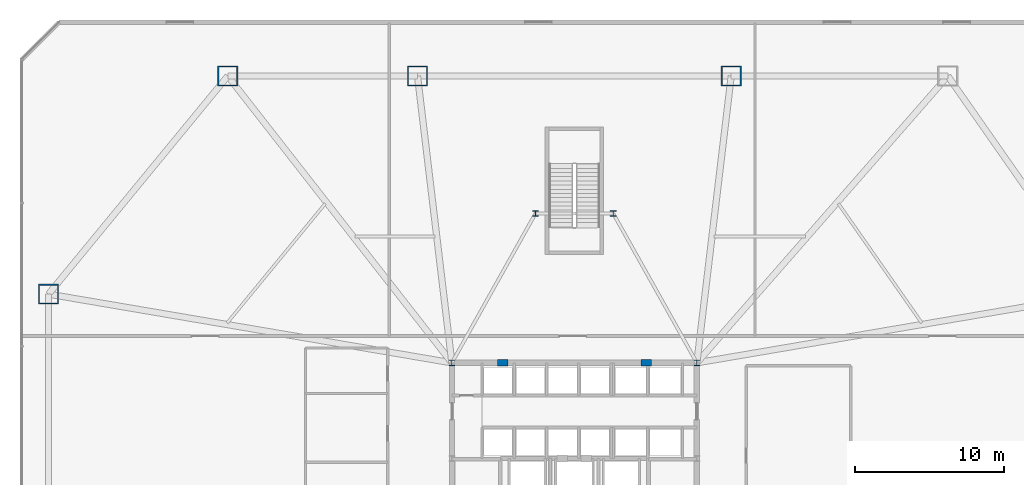
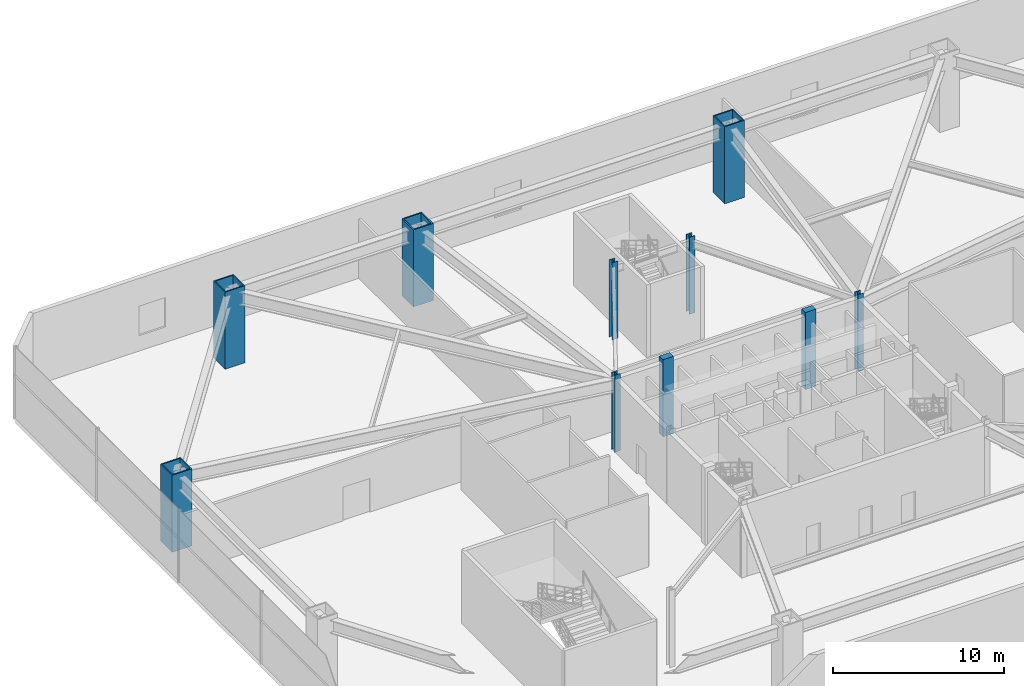
# One storey, part 3 of 20: 10 columns.
"""IFC4 building model written with IfcOpenShell, lengths in metres."""

from ifc_helpers import new_model, si_unit, direction, frame, origin, origin_2d, place, context, subcontext, project, spatial, rectangle, hollow_rectangle, i_section, extrude, material, material_profile, profile_set, type_object, element, save


model = new_model("IFC4")

# Units and contexts
model_context = context("Model", 3, precision=1e-05, world=origin(), true_north=direction((0.0, 1.0)))
body_context = subcontext(model_context, "Body", "Model", "MODEL_VIEW")
ifc_project = project(units=[si_unit("LENGTHUNIT", "METRE"), si_unit("AREAUNIT", "SQUARE_METRE"), si_unit("VOLUMEUNIT", "CUBIC_METRE"), si_unit("PLANEANGLEUNIT", "RADIAN"), si_unit("MASSUNIT", "GRAM", prefix="KILO")], contexts=[model_context])

# Site, building, storey
site_placement = place(None, origin())
site = spatial("IfcSite", under=ifc_project, at=site_placement, CompositionType="ELEMENT")
building_placement = place(site_placement, origin())
building = spatial("IfcBuilding", under=site, at=building_placement, Name="Varakhsha Concourse Tower", CompositionType="ELEMENT")
storey_placement = place(building_placement, frame((0.0, 0.0, 11.0)))
storey = spatial("IfcBuildingStorey", under=building, at=storey_placement, Name="L03", CompositionType="ELEMENT", Elevation=11.0)

# Columns
ifc_material_1 = material(Name="Structural Steel ASTM A992 Grade 50", Category="steel")
ifc_material_profile_1 = material_profile(ifc_material_1, i_section(OverallWidth=0.3740234375, OverallDepth=0.3720703125, WebThickness=0.01611328125, FlangeThickness=0.02587890625, at=origin_2d()), Name="W14X132")
ifc_profile_set_1 = profile_set([ifc_material_profile_1], Name="Structural Steel ASTM A992 Grade 50")
column_type_1 = type_object("IfcColumnType", Name="CL-CORE-W14X132", PredefinedType="COLUMN", material=ifc_profile_set_1)
for number, where, z_axis, x_axis, name in (
    (1, (31.800048828125, 31.199951171875, 0.0), (0.0, 0.0, 1.0), (1.0, 0.0, 0.0), "L03 Core Column CC-NW"),
    (2, (48.199951171875, 31.199951171875, 0.0), (0.0, 0.0, 1.0), (1.0, 0.0, 0.0), "L03 Core Column CC-NE"),
    (3, (37.39990234375, 41.199951171875, 0.0), (0.0, 0.0, 1.0), (1.0, 0.0, 0.0), "L03 Core Column NS-W"),
    (4, (42.60009765625, 41.199951171875, 0.0), (0.0, 0.0, 1.0), (1.0, 0.0, 0.0), "L03 Core Column NS-E"),
):
    element("IfcColumn", number, at=place(storey_placement, frame(where, z_axis=z_axis, x_axis=x_axis)), inside=storey, type_object=column_type_1, Name=name, PredefinedType="COLUMN", context=body_context, shape_type="SweptSolid", body=[
        extrude(i_section(OverallWidth=0.3740234375, OverallDepth=0.3720703125, WebThickness=0.01611328125, FlangeThickness=0.02587890625, at=origin_2d()), origin(), (0.0, 0.0, 1.0), 5.5),
    ])
ifc_material_2 = material(Name="Concrete fc 65 MPa", Category="concrete")
ifc_material_profile_2 = material_profile(ifc_material_2, rectangle(XDim=0.699951171875, YDim=0.449951171875, at=origin_2d()), Name="RC 700x450")
ifc_profile_set_2 = profile_set([ifc_material_profile_2], Name="Concrete fc 65 MPa")
column_type_2 = type_object("IfcColumnType", Name="CL-PIL-700X450", PredefinedType="PILASTER", material=ifc_profile_set_2)
for number, where, z_axis, x_axis, name in (
    (5, (35.199951171875, 31.199951171875, 0.0), (0.0, 0.0, 1.0), (1.0, 0.0, 0.0), "L03 Core Boundary Pilaster PIL-N1"),
    (6, (44.800048828125, 31.199951171875, 0.0), (0.0, 0.0, 1.0), (1.0, 0.0, 0.0), "L03 Core Boundary Pilaster PIL-N2"),
):
    element("IfcColumn", number, at=place(storey_placement, frame(where, z_axis=z_axis, x_axis=x_axis)), inside=storey, type_object=column_type_2, Name=name, PredefinedType="PILASTER", context=body_context, shape_type="SweptSolid", body=[
        extrude(rectangle(XDim=0.699951171875, YDim=0.449951171875, at=origin_2d()), origin(), (0.0, 0.0, 1.0), 5.5),
    ])
ifc_material_3 = material(Name="Structural Steel ASTM A572 Grade 50", Category="steel")
ifc_material_profile_3 = material_profile(ifc_material_3, hollow_rectangle(XDim=1.35009765625, YDim=1.35009765625, WallThickness=0.0849609375, at=origin_2d()), Name="BOX 1350x1350x85")
ifc_profile_set_3 = profile_set([ifc_material_profile_3], Name="Structural Steel ASTM A572 Grade 50")
column_type_3 = type_object("IfcColumnType", Name="CL-STILT-1350", PredefinedType="COLUMN", material=ifc_profile_set_3)
for number, where, z_axis, x_axis, name in (
    (7, (4.800048828125, 35.800048828125, 0.0), (0.0, 0.0, 1.0), (1.0, 0.0, 0.0), "L03 Podium Mega-Column PC-W2"),
    (8, (16.800048828125, 50.39990234375, 0.0), (0.0, 0.0, 1.0), (1.0, 0.0, 0.0), "L03 Podium Mega-Column PC-N1"),
    (9, (29.5, 50.39990234375, 0.0), (0.0, 0.0, 1.0), (1.0, 0.0, 0.0), "L03 Podium Mega-Column PC-N2"),
    (10, (50.5, 50.39990234375, 0.0), (0.0, 0.0, 1.0), (1.0, 0.0, 0.0), "L03 Podium Mega-Column PC-N3"),
):
    element("IfcColumn", number, at=place(storey_placement, frame(where, z_axis=z_axis, x_axis=x_axis)), inside=storey, type_object=column_type_3, Name=name, PredefinedType="COLUMN", context=body_context, shape_type="SweptSolid", body=[
        extrude(hollow_rectangle(XDim=1.35009765625, YDim=1.35009765625, WallThickness=0.0849609375, at=origin_2d()), origin(), (0.0, 0.0, 1.0), 5.5),
    ])

save(model, "model.ifc")
